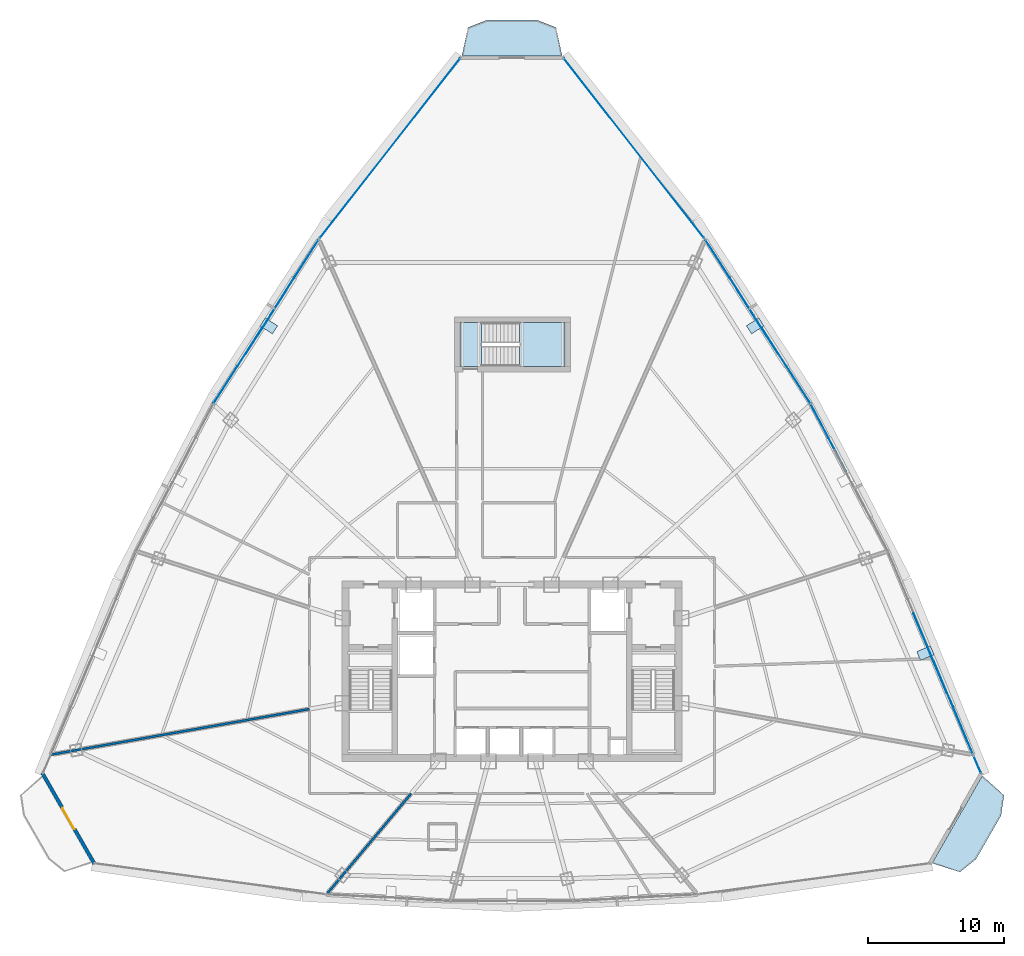
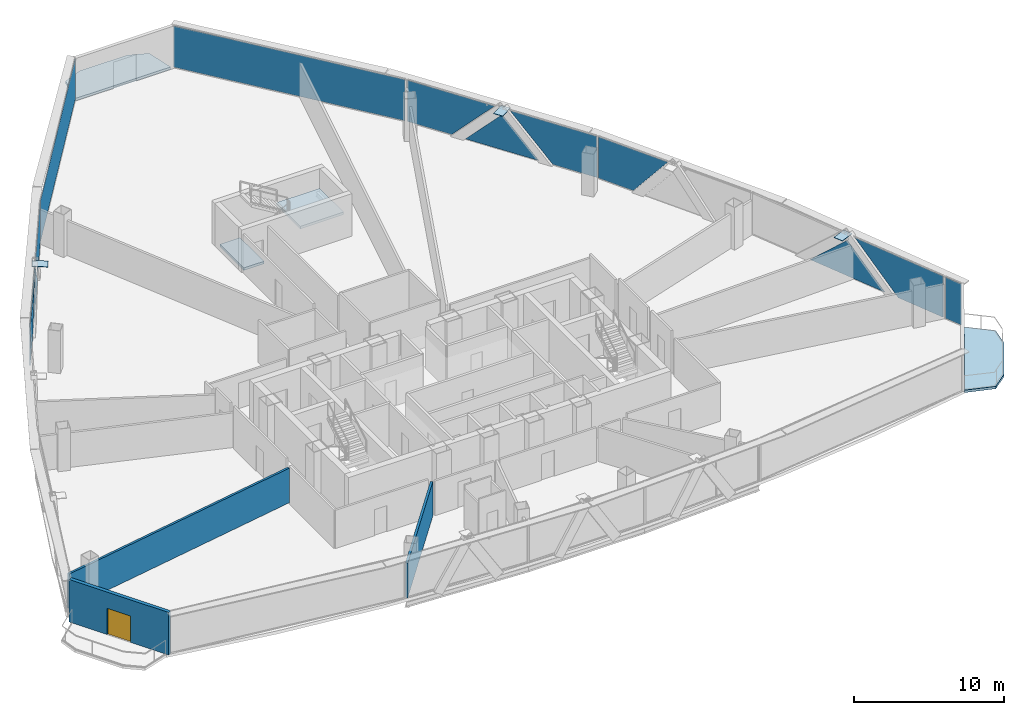
# One storey, part 29 of 37: 15 plates, 4 slabs, 3 walls, 1 door, 1 opening, 8 elements without a shape of their own.
"""IFC4 building model written with IfcOpenShell, lengths in metres."""

from ifc_helpers import new_model, si_unit, direction, frame, frame_2d, origin, origin_with_axes, origin_2d, place, context, subcontext, project, spatial, polyline, rectangle, outline, extrude, source, transform, mapped, material, layer, layer_set, type_object, element, fill, aggregate, save


model = new_model("IFC4")

# Units and contexts
model_context = context("Model", 3, precision=1e-05, world=origin(), true_north=direction((0.0, 1.0)))
body_context = subcontext(model_context, "Body", "Model", "MODEL_VIEW")
ifc_project = project(units=[si_unit("LENGTHUNIT", "METRE"), si_unit("AREAUNIT", "SQUARE_METRE"), si_unit("VOLUMEUNIT", "CUBIC_METRE"), si_unit("PLANEANGLEUNIT", "RADIAN"), si_unit("MASSUNIT", "GRAM", prefix="KILO"), si_unit("THERMODYNAMICTEMPERATUREUNIT", "KELVIN"), si_unit("POWERUNIT", "WATT")], contexts=[model_context])

# Site, building, storey
site_placement = place(None, origin())
site = spatial("IfcSite", under=ifc_project, at=site_placement, CompositionType="ELEMENT")
building_placement = place(site_placement, origin())
building = spatial("IfcBuilding", under=site, at=building_placement, Name="Yunzhuo Pagoda Commons", CompositionType="ELEMENT")
storey_placement = place(building_placement, frame((0.0, 0.0, 259.449951171875)))
storey = spatial("IfcBuildingStorey", under=building, at=storey_placement, Name="L65", CompositionType="ELEMENT", Elevation=259.449951171875)

# Curtain wall, plates
ifc_material_1 = material(Name="Anodized aluminium 6063-T6", Category="aluminium")
ifc_layer_1 = layer(ifc_material_1, 0.139892578125)
ifc_layer_set_1 = layer_set([ifc_layer_1], Name="Anodized aluminium 6063-T6")
curtain_wall_type = type_object("IfcCurtainWallType", Name="CW-HI High-Zone Ribbon Curtain Wall", PredefinedType="NOTDEFINED", material=ifc_layer_set_1)
curtain_wall_1_placement = place(storey_placement, origin())
curtain_wall_1 = element("IfcCurtainWall", 1, at=curtain_wall_1_placement, inside=storey, type_object=curtain_wall_type, Name="L65 curtain wall CW-L65-F2B2", PredefinedType="NOTDEFINED")
ifc_material_2 = material(Name="Tempered low-e double glazing", Category="glass")
ifc_layer_2 = layer(ifc_material_2, 0.02587890625)
ifc_layer_set_2 = layer_set([ifc_layer_2], Name="Tempered low-e double glazing")
plate_type_1 = type_object("IfcPlateType", Name="CW-HI-P Low-E Double Glazing 26", PredefinedType="CURTAIN_PANEL", material=ifc_layer_set_2)
plate_1_placement = place(storey_placement, frame((80.3212890625, 31.205810546875, 1.735107421875), z_axis=(0.922450521644, 0.38611531324, 0.0), x_axis=(-0.38611531324, 0.922450521644, 0.0)))
plate_1 = element("IfcPlate", 2, at=plate_1_placement, type_object=plate_type_1, Name="CW panel 1.1 lite 1", PredefinedType="CURTAIN_PANEL", context=body_context, shape_type="SweptSolid", body=[
    extrude(outline(polyline([(-3.700439453125, -1.679931640625), (0.060791015625, -1.679931640625), (3.7001953125, 1.679931640625), (-3.700439453125, 1.679931640625), (-3.700439453125, -1.679931640625)])), origin(), (0.0, 0.0, 1.0), 0.028076171875),
])
plate_2_placement = place(storey_placement, frame((78.62548828125, 35.179443359375, 1.50390625), z_axis=(0.922450521644, 0.38611531324, 0.0), x_axis=(-0.38611531324, 0.922450521644, 0.0)))
plate_2 = element("IfcPlate", 3, at=plate_2_placement, type_object=plate_type_1, Name="CW panel 1.1 lite 2", PredefinedType="CURTAIN_PANEL", context=body_context, shape_type="SweptSolid", body=[
    extrude(outline(polyline([(-3.138916015625, -1.448974609375), (3.138916015625, -1.448974609375), (0.0, 1.448974609375), (-3.138916015625, -1.448974609375)])), origin(), (0.0, 0.0, 1.0), 0.028076171875),
])
aggregate(curtain_wall_1, [plate_1, plate_2])

# Curtain wall, plate
curtain_wall_2_placement = place(storey_placement, origin())
curtain_wall_2 = element("IfcCurtainWall", 4, at=curtain_wall_2_placement, inside=storey, type_object=curtain_wall_type, Name="L65 curtain wall CW-L65-F2B3", PredefinedType="NOTDEFINED")
plate_3_placement = place(storey_placement, frame((71.190185546875, 50.931884765625, 1.735107421875), z_axis=(0.885743148427, 0.464175694123, 0.0), x_axis=(-0.464175694123, 0.885743148427, 0.0)))
plate_3 = element("IfcPlate", 5, at=plate_3_placement, type_object=plate_type_1, Name="CW panel 1.1 lite 3", PredefinedType="CURTAIN_PANEL", context=body_context, shape_type="SweptSolid", body=[
    extrude(outline(polyline([(-2.742431640625, 1.679931640625), (-0.00390625, -1.679931640625), (2.742431640625, -1.679931640625), (2.742431640625, 1.679931640625), (-2.742431640625, 1.679931640625)])), origin(), (0.0, 0.0, 1.0), 0.028076171875),
])
aggregate(curtain_wall_2, [plate_3])

# Curtain wall, plates
curtain_wall_3_placement = place(storey_placement, origin())
curtain_wall_3 = element("IfcCurtainWall", 6, at=curtain_wall_3_placement, inside=storey, type_object=curtain_wall_type, Name="L65 curtain wall CW-L65-F2B4", PredefinedType="NOTDEFINED")
plate_4_placement = place(storey_placement, frame((68.09423828125, 56.213134765625, 1.735107421875), z_axis=(0.841750083847, 0.539867387738, 0.0), x_axis=(-0.539867387738, 0.841750083847, 0.0)))
plate_4 = element("IfcPlate", 7, at=plate_4_placement, type_object=plate_type_1, Name="CW panel 1.1 lite 1", PredefinedType="CURTAIN_PANEL", context=body_context, shape_type="SweptSolid", body=[
    extrude(outline(polyline([(-3.2666015625, -1.679931640625), (0.035888671875, -1.679931640625), (3.2666015625, 1.679931640625), (-3.2666015625, 1.679931640625), (-3.2666015625, -1.679931640625)])), origin(), (0.0, 0.0, 1.0), 0.028076171875),
])
plate_5_placement = place(storey_placement, frame((65.992431640625, 59.434814453125, 1.488525390625), z_axis=(0.841750083847, 0.539867387738, 0.0), x_axis=(-0.539867387738, 0.841750083847, 0.0)))
plate_5 = element("IfcPlate", 8, at=plate_5_placement, type_object=plate_type_1, Name="CW panel 1.1 lite 2", PredefinedType="CURTAIN_PANEL", context=body_context, shape_type="SweptSolid", body=[
    extrude(outline(polyline([(-2.756591796875, -1.433349609375), (2.756591796875, -1.433349609375), (0.0, 1.433349609375), (-2.756591796875, -1.433349609375)])), origin(), (0.0, 0.0, 1.0), 0.028076171875),
])
plate_6_placement = place(storey_placement, frame((63.94091796875, 62.68896484375, 1.735107421875), z_axis=(0.841750083847, 0.539867387738, 0.0), x_axis=(-0.539867387738, 0.841750083847, 0.0)))
plate_6 = element("IfcPlate", 9, at=plate_6_placement, type_object=plate_type_1, Name="CW panel 1.1 lite 3", PredefinedType="CURTAIN_PANEL", context=body_context, shape_type="SweptSolid", body=[
    extrude(outline(polyline([(-3.2666015625, 1.679931640625), (-0.035888671875, -1.679931640625), (3.2666015625, -1.679931640625), (3.2666015625, 1.679931640625), (-3.2666015625, 1.679931640625)])), origin(), (0.0, 0.0, 1.0), 0.028076171875),
])
aggregate(curtain_wall_3, [plate_4, plate_5, plate_6])

curtain_wall_4_placement = place(storey_placement, origin())
curtain_wall_4 = element("IfcCurtainWall", 10, at=curtain_wall_4_placement, inside=storey, type_object=curtain_wall_type, Name="L65 curtain wall CW-L65-F3B2", PredefinedType="NOTDEFINED")
plate_7_placement = place(storey_placement, frame((32.05908203125, 62.68896484375, 1.735107421875), z_axis=(-0.841750083847, 0.539867387738, 0.0), x_axis=(-0.539867387738, -0.841750083847, 0.0)))
plate_7 = element("IfcPlate", 11, at=plate_7_placement, type_object=plate_type_1, Name="CW panel 1.1 lite 1", PredefinedType="CURTAIN_PANEL", context=body_context, shape_type="SweptSolid", body=[
    extrude(outline(polyline([(-3.2666015625, -1.679931640625), (0.035888671875, -1.679931640625), (3.2666015625, 1.679931640625), (-3.2666015625, 1.679931640625), (-3.2666015625, -1.679931640625)])), origin(), (0.0, 0.0, 1.0), 0.028076171875),
])
plate_8_placement = place(storey_placement, frame((30.007568359375, 59.434814453125, 1.488525390625), z_axis=(-0.841750083847, 0.539867387738, 0.0), x_axis=(-0.539867387738, -0.841750083847, 0.0)))
plate_8 = element("IfcPlate", 12, at=plate_8_placement, type_object=plate_type_1, Name="CW panel 1.1 lite 2", PredefinedType="CURTAIN_PANEL", context=body_context, shape_type="SweptSolid", body=[
    extrude(outline(polyline([(-2.756591796875, -1.433349609375), (2.756591796875, -1.433349609375), (0.0, 1.433349609375), (-2.756591796875, -1.433349609375)])), origin(), (0.0, 0.0, 1.0), 0.028076171875),
])
plate_9_placement = place(storey_placement, frame((27.90576171875, 56.213134765625, 1.735107421875), z_axis=(-0.841750083847, 0.539867387738, 0.0), x_axis=(-0.539867387738, -0.841750083847, 0.0)))
plate_9 = element("IfcPlate", 13, at=plate_9_placement, type_object=plate_type_1, Name="CW panel 1.1 lite 3", PredefinedType="CURTAIN_PANEL", context=body_context, shape_type="SweptSolid", body=[
    extrude(outline(polyline([(-3.2666015625, 1.679931640625), (-0.035888671875, -1.679931640625), (3.2666015625, -1.679931640625), (3.2666015625, 1.679931640625), (-3.2666015625, 1.679931640625)])), origin(), (0.0, 0.0, 1.0), 0.028076171875),
])
aggregate(curtain_wall_4, [plate_7, plate_8, plate_9])

# Slabs
ifc_material_3 = material(Name="Concrete C40", Category="concrete")
ifc_layer_3 = layer(ifc_material_3, 0.199951171875)
ifc_layer_set_3 = layer_set([ifc_layer_3], Name="Concrete C40")
slab_type_1 = type_object("IfcSlabType", Name="SL-BAL Vertex Balcony Deck Slab 200", PredefinedType="FLOOR", material=ifc_layer_set_3)
slab_1_placement = place(storey_placement, frame((0.0, 0.0, -0.199951171875)))
element("IfcSlab", 14, at=slab_1_placement, inside=storey, type_object=slab_type_1, Name="L65 corner balcony V2", PredefinedType="FLOOR", context=body_context, shape_type="SweptSolid", body=[
    extrude(outline(polyline([(78.784912109375, 19.79150390625), (82.461181640625, 26.194580078125), (84.053955078125, 24.760986328125), (83.8359375, 23.276611328125), (81.997802734375, 20.0751953125), (80.82568359375, 19.138427734375), (78.784912109375, 19.79150390625)])), origin(), (0.0, 0.0, 1.0), 0.199951171875),
])
slab_2_placement = place(storey_placement, frame((0.0, 0.0, -0.199951171875)))
element("IfcSlab", 15, at=slab_2_placement, inside=storey, type_object=slab_type_1, Name="L65 corner balcony V3", PredefinedType="FLOOR", context=body_context, shape_type="SweptSolid", body=[
    extrude(outline(polyline([(51.676513671875, 78.93212890625), (44.323486328125, 78.93212890625), (44.773681640625, 81.027099609375), (46.161865234375, 81.5771484375), (49.838134765625, 81.5771484375), (51.226318359375, 81.027099609375), (51.676513671875, 78.93212890625)])), origin(), (0.0, 0.0, 1.0), 0.199951171875),
])

# Stair, slabs
stair_type = type_object("IfcStairType", Name="ST-C3 North Tower Smokeproof Stair ST3", PredefinedType="HALF_TURN_STAIR", material=ifc_material_3)
stair_placement = place(storey_placement, origin())
stair = element("IfcStair", 16, at=stair_placement, inside=storey, type_object=stair_type, Name="L65 North tower smokeproof stair ST3", PredefinedType="HALF_TURN_STAIR")
ifc_layer_4 = layer(ifc_material_3, 0.2041015625)
ifc_layer_set_4 = layer_set([ifc_layer_4], Name="Concrete C40")
slab_type_2 = type_object("IfcSlabType", Name="SL-LND5 North Landing Slab 204", PredefinedType="LANDING", material=ifc_layer_set_4)
slab_3_placement = place(storey_placement, frame((0.0, 0.0, 1.6650390625)))
slab_3 = element("IfcSlab", 17, at=slab_3_placement, type_object=slab_type_2, Name="ST3 landing 1", PredefinedType="LANDING", context=body_context, shape_type="SweptSolid", body=[
    extrude(outline(polyline([(48.550048828125, 56.199951171875), (51.89990234375, 56.199951171875), (51.89990234375, 59.39990234375), (48.550048828125, 59.39990234375), (48.550048828125, 56.199951171875)])), origin(), (0.0, 0.0, 1.0), 0.199951171875),
])
slab_4_placement = place(storey_placement, frame((0.0, 0.0, -0.199951171875)))
slab_4 = element("IfcSlab", 18, at=slab_4_placement, type_object=slab_type_2, Name="ST3 floor landing L65", PredefinedType="LANDING", context=body_context, shape_type="SweptSolid", body=[
    extrude(outline(polyline([(44.199951171875, 56.199951171875), (45.75, 56.199951171875), (45.75, 59.39990234375), (44.199951171875, 59.39990234375), (44.199951171875, 56.199951171875)])), origin(), (0.0, 0.0, 1.0), 0.199951171875),
])
aggregate(stair, [slab_3, slab_4])

# Plates
ifc_material_4 = material(Name="Structural steel Q355B", Category="steel")
ifc_layer_5 = layer(ifc_material_4, 0.028076171875)
ifc_layer_set_5 = layer_set([ifc_layer_5], Name="Structural steel Q355B")
plate_type_2 = type_object("IfcPlateType", Name="SP-ND1 Lattice Node Cap Plate 800x500x28", PredefinedType="USERDEFINED", material=ifc_layer_set_5)
shared_shape_1 = source(origin(), body_context, "Body", "SweptSolid", [
    extrude(rectangle(XDim=0.699951171875, YDim=1.084228515625, at=origin_2d()), origin(), (0.0, 0.0, 1.0), 0.035888671875),
])
plate_10_placement = place(storey_placement, frame((78.29931640625, 35.1796875, 3.43212890625), z_axis=(0.0, 0.0, 1.0), x_axis=(-0.386115349642, 0.922450506407, 0.0)))
element("IfcPlate", 19, at=plate_10_placement, inside=storey, type_object=plate_type_2, Name="L65 setback lattice tie plate F2.1L", ObjectType="STIFFENER_PLATE", PredefinedType="USERDEFINED", context=body_context, shape_type="MappedRepresentation", body=[
    mapped(shared_shape_1, transform((0.0, 0.0, 0.0), scale=1.0)),
])
shared_shape_2 = source(origin(), body_context, "Body", "SweptSolid", [
    extrude(rectangle(XDim=0.699951171875, YDim=1.073974609375, at=origin_2d()), origin(), (0.0, 0.0, 1.0), 0.035888671875),
])
for number, where, z_axis, x_axis, name in (
    (20, (65.821044921875, 59.16259765625, 3.43212890625), (0.0, 0.0, 1.0), (-0.539873090716, 0.841746426141, 0.0), "L65 setback lattice tie plate F2.3L"),
    (21, (30.1787109375, 59.16259765625, 3.43212890625), (0.0, 0.0, 1.0), (-0.539873090716, -0.841746426141, 0.0), "L65 setback lattice tie plate F3.1L"),
):
    element("IfcPlate", number, at=place(storey_placement, frame(where, z_axis=z_axis, x_axis=x_axis)), inside=storey, type_object=plate_type_2, Name=name, ObjectType="STIFFENER_PLATE", PredefinedType="USERDEFINED", context=body_context, shape_type="MappedRepresentation", body=[
        mapped(shared_shape_2, transform((0.0, 0.0, 0.0), scale=1.0)),
    ])

# Curtain wall, plate
curtain_wall_5_placement = place(storey_placement, origin())
curtain_wall_5 = element("IfcCurtainWall", 22, at=curtain_wall_5_placement, inside=storey, type_object=curtain_wall_type, Name="L65 curtain wall CW-L65-F2B1", PredefinedType="NOTDEFINED")
shared_shape_3 = source(origin(), body_context, "Body", "SweptSolid", [
    extrude(rectangle(XDim=1.328857421875, YDim=0.028076171875, at=origin_2d()), origin(), (0.0, 0.0, 1.0), 3.360107421875),
])
plate_11_placement = place(storey_placement, frame((82.103759765625, 27.009033203125, 0.05517578125), z_axis=(0.0, 0.0, 1.0), x_axis=(-0.397256840254, 0.917707471295, 0.0)))
plate_11 = element("IfcPlate", 23, at=plate_11_placement, type_object=plate_type_1, Name="CW panel 1.1", PredefinedType="CURTAIN_PANEL", context=body_context, shape_type="MappedRepresentation", body=[
    mapped(shared_shape_3, transform((0.0, 0.0, 0.0), scale=1.0)),
])
aggregate(curtain_wall_5, [plate_11])

curtain_wall_6_placement = place(storey_placement, origin())
curtain_wall_6 = element("IfcCurtainWall", 24, at=curtain_wall_6_placement, inside=storey, type_object=curtain_wall_type, Name="L65 curtain wall CW-L65-F2B5", PredefinedType="NOTDEFINED")
shared_shape_4 = source(origin(), body_context, "Body", "SweptSolid", [
    extrude(rectangle(XDim=16.679931640625, YDim=0.028076171875, at=origin_2d()), origin(), (0.0, 0.0, 1.0), 3.360107421875),
])
plate_12_placement = place(storey_placement, frame((56.94091796875, 72.176513671875, 0.05517578125), z_axis=(0.0, 0.0, 1.0), x_axis=(-0.615432519405, 0.788189580024, 0.0)))
plate_12 = element("IfcPlate", 25, at=plate_12_placement, type_object=plate_type_1, Name="CW panel 1.1", PredefinedType="CURTAIN_PANEL", context=body_context, shape_type="MappedRepresentation", body=[
    mapped(shared_shape_4, transform((0.0, 0.0, 0.0), scale=1.0)),
])
aggregate(curtain_wall_6, [plate_12])

curtain_wall_7_placement = place(storey_placement, origin())
curtain_wall_7 = element("IfcCurtainWall", 26, at=curtain_wall_7_placement, inside=storey, type_object=curtain_wall_type, Name="L65 curtain wall CW-L65-F3B1", PredefinedType="NOTDEFINED")
plate_13_placement = place(storey_placement, frame((39.05908203125, 72.176513671875, 0.05517578125), z_axis=(0.0, 0.0, 1.0), x_axis=(-0.615432519405, -0.788189580024, 0.0)))
plate_13 = element("IfcPlate", 27, at=plate_13_placement, type_object=plate_type_1, Name="CW panel 1.1", PredefinedType="CURTAIN_PANEL", context=body_context, shape_type="MappedRepresentation", body=[
    mapped(shared_shape_4, transform((0.0, 0.0, 0.0), scale=1.0)),
])
aggregate(curtain_wall_7, [plate_13])

# Wall, opening, door
ifc_material_5 = material(Name="Precast concrete C40", Category="concrete")
ifc_layer_6 = layer(ifc_material_5, 0.260009765625)
ifc_layer_set_6 = layer_set([ifc_layer_6], Name="Precast concrete C40")
wall_type_1 = type_object("IfcWallType", Name="W-BAL1 Corner Balcony Threshold Wall 260", PredefinedType="STANDARD", material=ifc_layer_set_6)
wall_1_placement = place(storey_placement, frame((13.5810546875, 26.391845703125, 0.0), z_axis=(0.0, 0.0, 1.0), x_axis=(0.497934343816, -0.867214730761, 0.0)))
wall_1 = element("IfcWall", 28, at=wall_1_placement, inside=storey, type_object=wall_type_1, Name="L65 corner balcony wall V1", PredefinedType="STANDARD", context=body_context, shape_type="SweptSolid", body=[
    extrude(rectangle(XDim=7.68359375, YDim=0.260009765625, at=frame_2d((3.841796875, 0.0))), origin(), (0.0, 0.0, 1.0), 3.469970703125),
])
opening_placement = place(wall_1_placement, frame((2.94189453125, 0.0, 0.0)))
opening = element("IfcOpeningElement", 29, at=opening_placement, cuts=wall_1, Name="Opening D-BAL1", PredefinedType="OPENING", context=body_context, shape_type="SweptSolid", body=[
    extrude(rectangle(XDim=1.800048828125, YDim=2.14990234375, at=frame_2d((0.89990234375, 1.074951171875))), frame((0.0, 0.14013671875, 0.0), z_axis=(0.0, -1.0, 0.0), x_axis=(1.0, 0.0, 0.0)), (0.0, 0.0, 1.0), 0.280029296875),
])
ifc_material_6 = material(Name="Anodized aluminium frame and tempered glazed leaf", Category="aluminium")
door_type = type_object("IfcDoorType", Name="D-BAL1 Corner Balcony Sliding Glazed Door 1800x2150", OperationType="DOUBLE_DOOR_SLIDING", PredefinedType="DOOR", material=ifc_material_6)
shared_shape_5 = source(origin(), body_context, "Body", "SweptSolid", [
    extrude(rectangle(XDim=1.800048828125, YDim=2.14990234375, at=frame_2d((0.89990234375, 1.074951171875))), frame((0.0, 0.02490234375, 0.0), z_axis=(0.0, -1.0, 0.0), x_axis=(1.0, 0.0, 0.0)), (0.0, 0.0, 1.0), 0.050048828125),
])
door_placement = place(opening_placement, origin_with_axes())
door = element("IfcDoor", 30, at=door_placement, inside=storey, type_object=door_type, Name="L65 corner balcony sliding door V1", OperationType="DOUBLE_DOOR_SLIDING", OverallHeight=2.14990234375, OverallWidth=1.800048828125, PredefinedType="DOOR", context=body_context, shape_type="MappedRepresentation", body=[
    mapped(shared_shape_5, transform((0.0, 0.0, 0.0), scale=1.0)),
])
fill(opening, door)

# Walls
ifc_material_7 = material(Name="Gypsum plasterboard on acoustic stud")
ifc_layer_7 = layer(ifc_material_7, 0.169921875)
ifc_layer_set_7 = layer_set([ifc_layer_7], Name="Gypsum plasterboard on acoustic stud")
wall_type_2 = type_object("IfcWallType", Name="W-PRT4 High-Zone Demising Wall 170", PredefinedType="PARTITIONING", material=ifc_layer_set_7)
wall_2_placement = place(storey_placement, frame((33.14990234375, 31.08154296875, 0.0), z_axis=(0.0, 0.0, 1.0), x_axis=(-0.984808346381, -0.173644812474, 0.0)))
element("IfcWall", 31, at=wall_2_placement, inside=storey, type_object=wall_type_2, Name="L65 interior wall IW-L65-RAD08", PredefinedType="PARTITIONING", context=body_context, shape_type="SweptSolid", body=[
    extrude(rectangle(XDim=19.22802734375, YDim=0.169921875, at=frame_2d((9.614013671875, 0.0))), origin(), (0.0, 0.0, 1.0), 2.820068359375),
])
wall_3_placement = place(storey_placement, frame((40.615966796875, 24.89990234375, 0.0), z_axis=(0.0, 0.0, 1.0), x_axis=(-0.642795010628, -0.766038232931, 0.0)))
element("IfcWall", 32, at=wall_3_placement, inside=storey, type_object=wall_type_2, Name="L65 interior wall IW-L65-RAD09", PredefinedType="PARTITIONING", context=body_context, shape_type="SweptSolid", body=[
    extrude(rectangle(XDim=9.6630859375, YDim=0.169921875, at=frame_2d((4.83154296875, 0.0))), origin(), (0.0, 0.0, 1.0), 2.820068359375),
])

save(model, "model.ifc")
